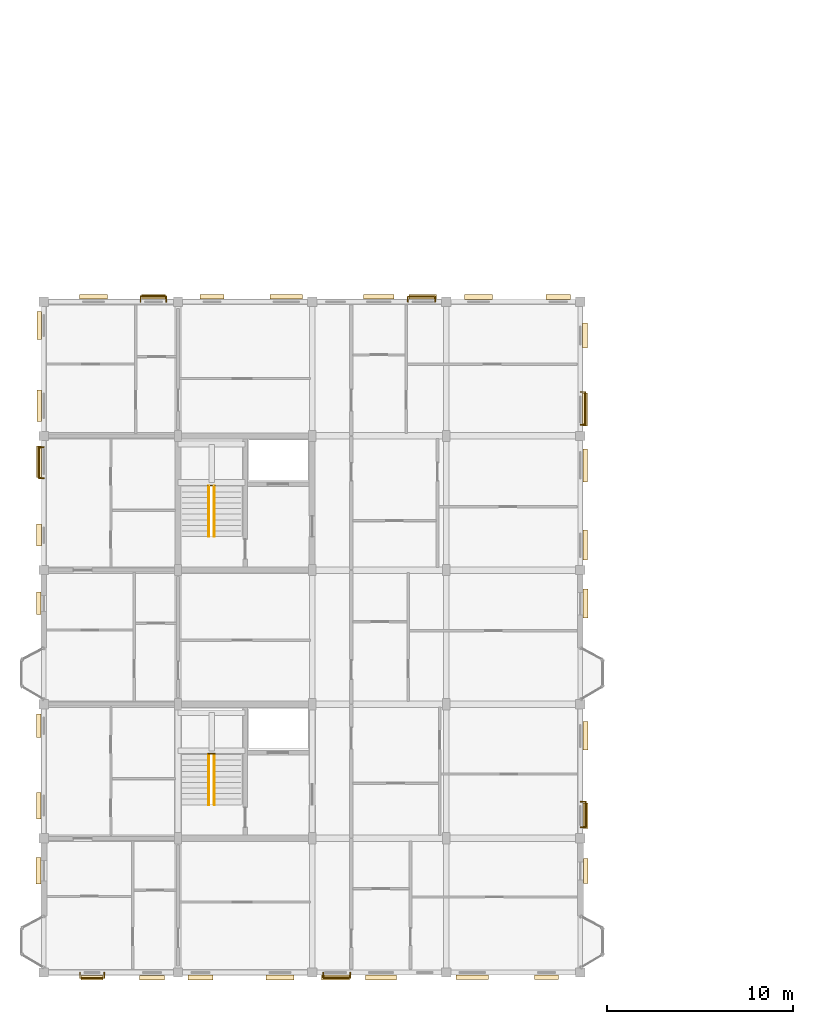
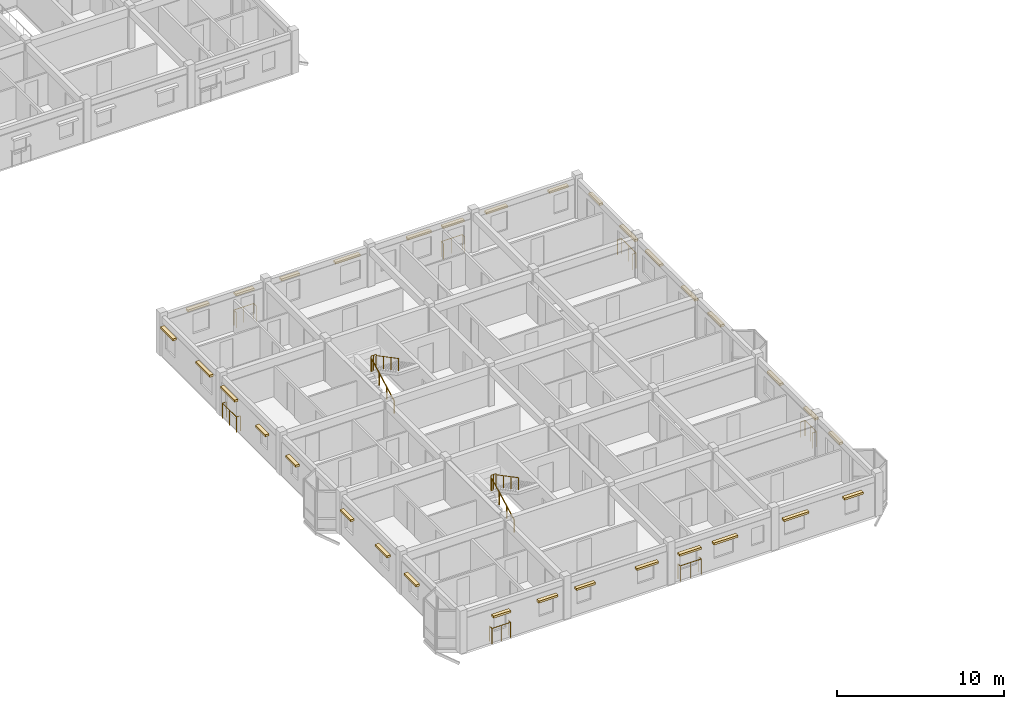
# One storey, part 59 of 64: 32 coverings, 13 railings.
"""IFC4 building model written with IfcOpenShell, lengths in metres."""

from ifc_helpers import new_model, si_unit, direction, frame, origin, origin_2d, place, context, subcontext, project, spatial, rectangle, circle, extrude, material, layer, layer_set, type_object, element, save


model = new_model("IFC4")

# Units and contexts
model_context = context("Model", 3, precision=1e-05, world=origin(), true_north=direction((0.0, 1.0)))
body_context = subcontext(model_context, "Body", "Model", "MODEL_VIEW")
ifc_project = project(units=[si_unit("LENGTHUNIT", "METRE"), si_unit("AREAUNIT", "SQUARE_METRE"), si_unit("VOLUMEUNIT", "CUBIC_METRE"), si_unit("PLANEANGLEUNIT", "RADIAN"), si_unit("MASSUNIT", "GRAM", prefix="KILO"), si_unit("THERMODYNAMICTEMPERATUREUNIT", "KELVIN"), si_unit("POWERUNIT", "WATT")], contexts=[model_context])

# Site, building, storey
site_placement = place(None, origin())
site = spatial("IfcSite", under=ifc_project, at=site_placement, CompositionType="ELEMENT")
building_placement = place(site_placement, origin())
building = spatial("IfcBuilding", under=site, at=building_placement, Name="Tavuni Mirador Residences", CompositionType="ELEMENT")
storey_placement = place(building_placement, frame((0.0, 0.0, 26.550048828125)))
storey = spatial("IfcBuildingStorey", under=building, at=storey_placement, Name="L08", CompositionType="ELEMENT", Elevation=26.550048828125)

# Coverings
ifc_material_1 = material(Name="Natural coral limestone", Category="masonry")
ifc_layer = layer(ifc_material_1, 0.054931640625, Name="Natural coral limestone", Category="masonry")
ifc_layer_set = layer_set([ifc_layer], Name="Natural coral limestone")
covering_type = type_object("IfcCoveringType", Name="CVT-CLAD-CORAL", PredefinedType="CLADDING", material=ifc_layer_set)
covering_1_placement = place(storey_placement, frame((6.18505859375, 6.92041015625, 1.955078125), z_axis=(0.0, 0.0, 1.0), x_axis=(1.0, 0.0, 0.0)))
element("IfcCovering", 1, at=covering_1_placement, inside=storey, type_object=covering_type, Name="HOOD-0175", PredefinedType="CLADDING", context=body_context, shape_type="SweptSolid", body=[
    extrude(rectangle(XDim=1.18994140625, YDim=0.25, at=origin_2d()), origin(), (0.0, 0.0, 1.0), 0.14990234375),
])
for number, where, z_axis, x_axis, name in (
    (2, (9.39501953125, 6.92041015625, 1.955078125), (0.0, 0.0, 1.0), (1.0, 0.0, 0.0), "HOOD-0176"),
    (3, (12.0, 6.925537109375, 1.955078125), (0.0, 0.0, 1.0), (1.0, 0.0, 0.0), "HOOD-0177"),
):
    element("IfcCovering", number, at=place(storey_placement, frame(where, z_axis=z_axis, x_axis=x_axis)), inside=storey, type_object=covering_type, Name=name, PredefinedType="CLADDING", context=body_context, shape_type="SweptSolid", body=[
        extrude(rectangle(XDim=1.340087890625, YDim=0.25, at=origin_2d()), origin(), (0.0, 0.0, 1.0), 0.14990234375),
    ])
for number, where, z_axis, x_axis, name in (
    (4, (16.280029296875, 6.925537109375, 1.955078125), (0.0, 0.0, 1.0), (1.0, 0.0, 0.0), "HOOD-0178"),
    (5, (19.2451171875, 6.93310546875, 1.955078125), (0.0, 0.0, 1.0), (1.0, 0.0, 0.0), "HOOD-0179"),
):
    element("IfcCovering", number, at=place(storey_placement, frame(where, z_axis=z_axis, x_axis=x_axis)), inside=storey, type_object=covering_type, Name=name, PredefinedType="CLADDING", context=body_context, shape_type="SweptSolid", body=[
        extrude(rectangle(XDim=1.5, YDim=0.25, at=origin_2d()), origin(), (0.0, 0.0, 1.0), 0.14990234375),
    ])
covering_2_placement = place(storey_placement, frame((21.68994140625, 6.93310546875, 1.955078125), z_axis=(0.0, 0.0, 1.0), x_axis=(1.0, 0.0, 0.0)))
element("IfcCovering", 6, at=covering_2_placement, inside=storey, type_object=covering_type, Name="HOOD-0180", PredefinedType="CLADDING", context=body_context, shape_type="SweptSolid", body=[
    extrude(rectangle(XDim=1.659912109375, YDim=0.25, at=origin_2d()), origin(), (0.0, 0.0, 1.0), 0.14990234375),
])
covering_3_placement = place(storey_placement, frame((26.60009765625, 6.9404296875, 1.955078125), z_axis=(0.0, 0.0, 1.0), x_axis=(1.0, 0.0, 0.0)))
element("IfcCovering", 7, at=covering_3_placement, inside=storey, type_object=covering_type, Name="HOOD-0181", PredefinedType="CLADDING", context=body_context, shape_type="SweptSolid", body=[
    extrude(rectangle(XDim=1.739990234375, YDim=0.25, at=origin_2d()), origin(), (0.0, 0.0, 1.0), 0.14990234375),
])
covering_4_placement = place(storey_placement, frame((30.580078125, 6.9404296875, 2.06494140625), z_axis=(0.0, 0.0, 1.0), x_axis=(1.0, 0.0, 0.0)))
element("IfcCovering", 8, at=covering_4_placement, inside=storey, type_object=covering_type, Name="HOOD-0182", PredefinedType="CLADDING", context=body_context, shape_type="SweptSolid", body=[
    extrude(rectangle(XDim=1.300048828125, YDim=0.25, at=origin_2d()), origin(), (0.0, 0.0, 1.0), 0.14990234375),
])
covering_5_placement = place(storey_placement, frame((32.6845703125, 12.64501953125, 2.06005859375), z_axis=(0.0, 0.0, 1.0), x_axis=(0.0, 1.0, 0.0)))
element("IfcCovering", 9, at=covering_5_placement, inside=storey, type_object=covering_type, Name="HOOD-0183", PredefinedType="CLADDING", context=body_context, shape_type="SweptSolid", body=[
    extrude(rectangle(XDim=1.320068359375, YDim=0.260009765625, at=origin_2d()), origin(), (0.0, 0.0, 1.0), 0.159912109375),
])
covering_6_placement = place(storey_placement, frame((32.674560546875, 15.6201171875, 2.06494140625), z_axis=(0.0, 0.0, 1.0), x_axis=(0.0, 1.0, 0.0)))
element("IfcCovering", 10, at=covering_6_placement, inside=storey, type_object=covering_type, Name="HOOD-0184", PredefinedType="CLADDING", context=body_context, shape_type="SweptSolid", body=[
    extrude(rectangle(XDim=1.3798828125, YDim=0.25, at=origin_2d()), origin(), (0.0, 0.0, 1.0), 0.14990234375),
])
covering_7_placement = place(storey_placement, frame((32.674560546875, 19.89990234375, 2.06494140625), z_axis=(0.0, 0.0, 1.0), x_axis=(0.0, 1.0, 0.0)))
element("IfcCovering", 11, at=covering_7_placement, inside=storey, type_object=covering_type, Name="HOOD-0185", PredefinedType="CLADDING", context=body_context, shape_type="SweptSolid", body=[
    extrude(rectangle(XDim=1.5400390625, YDim=0.25, at=origin_2d()), origin(), (0.0, 0.0, 1.0), 0.14990234375),
])
covering_8_placement = place(storey_placement, frame((32.672119140625, 26.9951171875, 2.06005859375), z_axis=(0.0, 0.0, 1.0), x_axis=(0.0, 1.0, 0.0)))
element("IfcCovering", 12, at=covering_8_placement, inside=storey, type_object=covering_type, Name="HOOD-0186", PredefinedType="CLADDING", context=body_context, shape_type="SweptSolid", body=[
    extrude(rectangle(XDim=1.56005859375, YDim=0.260009765625, at=origin_2d()), origin(), (0.0, 0.0, 1.0), 0.159912109375),
])
covering_9_placement = place(storey_placement, frame((32.659423828125, 30.139892578125, 2.06494140625), z_axis=(0.0, 0.0, 1.0), x_axis=(0.0, 1.0, 0.0)))
element("IfcCovering", 13, at=covering_9_placement, inside=storey, type_object=covering_type, Name="HOOD-0187", PredefinedType="CLADDING", context=body_context, shape_type="SweptSolid", body=[
    extrude(rectangle(XDim=1.6201171875, YDim=0.25, at=origin_2d()), origin(), (0.0, 0.0, 1.0), 0.14990234375),
])
for number, where, z_axis, x_axis, name in (
    (14, (32.659423828125, 34.419921875, 2.06494140625), (0.0, 0.0, 1.0), (0.0, 1.0, 0.0), "HOOD-0188"),
    (15, (32.6494140625, 37.419921875, 2.06494140625), (0.0, 0.0, 1.0), (0.0, 1.0, 0.0), "HOOD-0189"),
):
    element("IfcCovering", number, at=place(storey_placement, frame(where, z_axis=z_axis, x_axis=x_axis)), inside=storey, type_object=covering_type, Name=name, PredefinedType="CLADDING", context=body_context, shape_type="SweptSolid", body=[
        extrude(rectangle(XDim=1.780029296875, YDim=0.25, at=origin_2d()), origin(), (0.0, 0.0, 1.0), 0.14990234375),
    ])
for number, where, z_axis, x_axis, name in (
    (16, (32.6494140625, 41.389892578125, 2.1650390625), (0.0, 0.0, 1.0), (0.0, 1.0, 0.0), "HOOD-0190"),
    (17, (31.2099609375, 43.45947265625, 2.1650390625), (0.0, 0.0, 1.0), (-1.0, 0.0, 0.0), "HOOD-0191"),
):
    element("IfcCovering", number, at=place(storey_placement, frame(where, z_axis=z_axis, x_axis=x_axis)), inside=storey, type_object=covering_type, Name=name, PredefinedType="CLADDING", context=body_context, shape_type="SweptSolid", body=[
        extrude(rectangle(XDim=1.320068359375, YDim=0.25, at=origin_2d()), origin(), (0.0, 0.0, 1.0), 0.14990234375),
    ])
for number, where, z_axis, x_axis, name in (
    (18, (26.929931640625, 43.45947265625, 2.1650390625), (0.0, 0.0, 1.0), (-1.0, 0.0, 0.0), "HOOD-0192"),
    (19, (23.929931640625, 43.467041015625, 2.1650390625), (0.0, 0.0, 1.0), (-1.0, 0.0, 0.0), "HOOD-0193"),
):
    element("IfcCovering", number, at=place(storey_placement, frame(where, z_axis=z_axis, x_axis=x_axis)), inside=storey, type_object=covering_type, Name=name, PredefinedType="CLADDING", context=body_context, shape_type="SweptSolid", body=[
        extrude(rectangle(XDim=1.47998046875, YDim=0.25, at=origin_2d()), origin(), (0.0, 0.0, 1.0), 0.14990234375),
    ])
covering_10_placement = place(storey_placement, frame((21.574951171875, 43.467041015625, 2.1650390625), z_axis=(0.0, 0.0, 1.0), x_axis=(-1.0, 0.0, 0.0)))
element("IfcCovering", 20, at=covering_10_placement, inside=storey, type_object=covering_type, Name="HOOD-0194", PredefinedType="CLADDING", context=body_context, shape_type="SweptSolid", body=[
    extrude(rectangle(XDim=1.639892578125, YDim=0.25, at=origin_2d()), origin(), (0.0, 0.0, 1.0), 0.14990234375),
])
covering_11_placement = place(storey_placement, frame((16.610107421875, 43.474609375, 2.1650390625), z_axis=(0.0, 0.0, 1.0), x_axis=(-1.0, 0.0, 0.0)))
element("IfcCovering", 21, at=covering_11_placement, inside=storey, type_object=covering_type, Name="HOOD-0195", PredefinedType="CLADDING", context=body_context, shape_type="SweptSolid", body=[
    extrude(rectangle(XDim=1.719970703125, YDim=0.25, at=origin_2d()), origin(), (0.0, 0.0, 1.0), 0.14990234375),
])
for number, where, z_axis, x_axis, name in (
    (22, (12.6298828125, 43.474609375, 2.2451171875), (0.0, 0.0, 1.0), (-1.0, 0.0, 0.0), "HOOD-0196"),
    (23, (9.47509765625, 43.4794921875, 2.2451171875), (0.0, 0.0, 1.0), (-1.0, 0.0, 0.0), "HOOD-0197"),
):
    element("IfcCovering", number, at=place(storey_placement, frame(where, z_axis=z_axis, x_axis=x_axis)), inside=storey, type_object=covering_type, Name=name, PredefinedType="CLADDING", context=body_context, shape_type="SweptSolid", body=[
        extrude(rectangle(XDim=1.280029296875, YDim=0.25, at=origin_2d()), origin(), (0.0, 0.0, 1.0), 0.14990234375),
    ])
for number, where, z_axis, x_axis, name in (
    (24, (6.264892578125, 43.4794921875, 2.2451171875), (0.0, 0.0, 1.0), (-1.0, 0.0, 0.0), "HOOD-0198"),
    (25, (3.3505859375, 41.925048828125, 2.2451171875), (0.0, 0.0, 1.0), (0.0, -1.0, 0.0), "HOOD-0199"),
):
    element("IfcCovering", number, at=place(storey_placement, frame(where, z_axis=z_axis, x_axis=x_axis)), inside=storey, type_object=covering_type, Name=name, PredefinedType="CLADDING", context=body_context, shape_type="SweptSolid", body=[
        extrude(rectangle(XDim=1.489990234375, YDim=0.25, at=origin_2d()), origin(), (0.0, 0.0, 1.0), 0.14990234375),
    ])
for number, where, z_axis, x_axis, name in (
    (26, (3.3505859375, 37.625, 2.2451171875), (0.0, 0.0, 1.0), (0.0, -1.0, 0.0), "HOOD-0200"),
    (27, (3.340576171875, 34.625, 2.2451171875), (0.0, 0.0, 1.0), (0.0, -1.0, 0.0), "HOOD-0201"),
):
    element("IfcCovering", number, at=place(storey_placement, frame(where, z_axis=z_axis, x_axis=x_axis)), inside=storey, type_object=covering_type, Name=name, PredefinedType="CLADDING", context=body_context, shape_type="SweptSolid", body=[
        extrude(rectangle(XDim=1.68994140625, YDim=0.25, at=origin_2d()), origin(), (0.0, 0.0, 1.0), 0.14990234375),
    ])
covering_12_placement = place(storey_placement, frame((3.340576171875, 30.675048828125, 1.955078125), z_axis=(0.0, 0.0, 1.0), x_axis=(0.0, -1.0, 0.0)))
element("IfcCovering", 28, at=covering_12_placement, inside=storey, type_object=covering_type, Name="HOOD-0202", PredefinedType="CLADDING", context=body_context, shape_type="SweptSolid", body=[
    extrude(rectangle(XDim=1.18994140625, YDim=0.25, at=origin_2d()), origin(), (0.0, 0.0, 1.0), 0.14990234375),
])
covering_13_placement = place(storey_placement, frame((3.327880859375, 27.010009765625, 1.9501953125), z_axis=(0.0, 0.0, 1.0), x_axis=(0.0, -1.0, 0.0)))
element("IfcCovering", 29, at=covering_13_placement, inside=storey, type_object=covering_type, Name="HOOD-0203", PredefinedType="CLADDING", context=body_context, shape_type="SweptSolid", body=[
    extrude(rectangle(XDim=1.2099609375, YDim=0.260009765625, at=origin_2d()), origin(), (0.0, 0.0, 1.0), 0.159912109375),
])
covering_14_placement = place(storey_placement, frame((3.325439453125, 20.43994140625, 1.955078125), z_axis=(0.0, 0.0, 1.0), x_axis=(0.0, -1.0, 0.0)))
element("IfcCovering", 30, at=covering_14_placement, inside=storey, type_object=covering_type, Name="HOOD-0204", PredefinedType="CLADDING", context=body_context, shape_type="SweptSolid", body=[
    extrude(rectangle(XDim=1.260009765625, YDim=0.25, at=origin_2d()), origin(), (0.0, 0.0, 1.0), 0.14990234375),
])
covering_15_placement = place(storey_placement, frame((3.325439453125, 16.159912109375, 1.955078125), z_axis=(0.0, 0.0, 1.0), x_axis=(0.0, -1.0, 0.0)))
element("IfcCovering", 31, at=covering_15_placement, inside=storey, type_object=covering_type, Name="HOOD-0205", PredefinedType="CLADDING", context=body_context, shape_type="SweptSolid", body=[
    extrude(rectangle(XDim=1.419921875, YDim=0.25, at=origin_2d()), origin(), (0.0, 0.0, 1.0), 0.14990234375),
])
covering_16_placement = place(storey_placement, frame((3.3154296875, 12.659912109375, 1.9501953125), z_axis=(0.0, 0.0, 1.0), x_axis=(0.0, -1.0, 0.0)))
element("IfcCovering", 32, at=covering_16_placement, inside=storey, type_object=covering_type, Name="HOOD-0206", PredefinedType="CLADDING", context=body_context, shape_type="SweptSolid", body=[
    extrude(rectangle(XDim=1.43994140625, YDim=0.260009765625, at=origin_2d()), origin(), (0.0, 0.0, 1.0), 0.159912109375),
])

# Railings
ifc_material_2 = material(Name="Structural steel S355", Category="steel")
railing_type_1 = type_object("IfcRailingType", Name="RT-BL1150", PredefinedType="BALUSTRADE", material=ifc_material_2)
railing_1_placement = place(storey_placement, frame((5.5400390625, 7.199951171875, 0.0400390625)))
element("IfcRailing", 33, at=railing_1_placement, inside=storey, type_object=railing_type_1, Name="BALC-BLK-A-L08-S00", PredefinedType="BALUSTRADE", context=body_context, shape_type="SweptSolid", body=[
    extrude(circle(Radius=0.02392578125, at=origin_2d()), frame((0.0, 0.0, 1.1259765625), z_axis=(0.0, -1.0, 0.0), x_axis=(1.0, 0.0, 0.0)), (0.0, 0.0, 1.0), 0.29736328125),
    extrude(circle(Radius=0.02392578125, at=origin_2d()), frame((0.0, -0.29736328125, 1.1259765625), z_axis=(1.0, 0.0, 0.0), x_axis=(0.0, 1.0, 0.0)), (0.0, 0.0, 1.0), 1.2900390625),
    extrude(circle(Radius=0.02392578125, at=origin_2d()), frame((1.2900390625, -0.29736328125, 1.1259765625), z_axis=(0.0, 1.0, 0.0), x_axis=(-1.0, 0.0, 0.0)), (0.0, 0.0, 1.0), 0.29736328125),
    extrude(circle(Radius=0.02099609375, at=origin_2d()), origin(), (0.0, 0.0, 1.0), 1.101806640625),
    extrude(circle(Radius=0.02099609375, at=origin_2d()), frame((0.0, -0.29736328125, 0.0)), (0.0, 0.0, 1.0), 1.101806640625),
    extrude(circle(Radius=0.02099609375, at=origin_2d()), frame((0.64501953125, -0.29736328125, 0.0)), (0.0, 0.0, 1.0), 1.101806640625),
    extrude(circle(Radius=0.02099609375, at=origin_2d()), frame((1.2900390625, -0.29736328125, 0.0)), (0.0, 0.0, 1.0), 1.101806640625),
    extrude(circle(Radius=0.02099609375, at=origin_2d()), frame((1.2900390625, 0.0, 0.0)), (0.0, 0.0, 1.0), 1.101806640625),
])
railing_2_placement = place(storey_placement, frame((18.60009765625, 7.199951171875, 0.0400390625)))
element("IfcRailing", 34, at=railing_2_placement, inside=storey, type_object=railing_type_1, Name="BALC-BLK-A-L08-S02", PredefinedType="BALUSTRADE", context=body_context, shape_type="SweptSolid", body=[
    extrude(circle(Radius=0.02392578125, at=origin_2d()), frame((0.0, 0.0, 1.1259765625), z_axis=(0.0, -1.0, 0.0), x_axis=(1.0, 0.0, 0.0)), (0.0, 0.0, 1.0), 0.284912109375),
    extrude(circle(Radius=0.02392578125, at=origin_2d()), frame((0.0, -0.284912109375, 1.1259765625), z_axis=(1.0, 0.0, 0.0), x_axis=(0.0, 1.0, 0.0)), (0.0, 0.0, 1.0), 1.44482421875),
    extrude(circle(Radius=0.02392578125, at=origin_2d()), frame((1.44482421875, -0.284912109375, 1.1259765625), z_axis=(0.0, 1.0, 0.0), x_axis=(-1.0, 0.0, 0.0)), (0.0, 0.0, 1.0), 0.284912109375),
    extrude(circle(Radius=0.02099609375, at=origin_2d()), origin(), (0.0, 0.0, 1.0), 1.101806640625),
    extrude(circle(Radius=0.02099609375, at=origin_2d()), frame((0.0, -0.284912109375, 0.0)), (0.0, 0.0, 1.0), 1.101806640625),
    extrude(circle(Radius=0.02099609375, at=origin_2d()), frame((0.722412109375, -0.284912109375, 0.0)), (0.0, 0.0, 1.0), 1.101806640625),
    extrude(circle(Radius=0.02099609375, at=origin_2d()), frame((1.44482421875, -0.284912109375, 0.0)), (0.0, 0.0, 1.0), 1.101806640625),
    extrude(circle(Radius=0.02099609375, at=origin_2d()), frame((1.44482421875, 0.0, 0.0)), (0.0, 0.0, 1.0), 1.101806640625),
])
railing_3_placement = place(storey_placement, frame((32.39990234375, 15.0, 0.0400390625)))
element("IfcRailing", 35, at=railing_3_placement, inside=storey, type_object=railing_type_1, Name="BALC-BLK-A-L08-E01", PredefinedType="BALUSTRADE", context=body_context, shape_type="SweptSolid", body=[
    extrude(circle(Radius=0.02392578125, at=origin_2d()), frame((0.0, 0.0, 1.1259765625), z_axis=(1.0, 0.0, 0.0), x_axis=(0.0, 1.0, 0.0)), (0.0, 0.0, 1.0), 0.29248046875),
    extrude(circle(Radius=0.02392578125, at=origin_2d()), frame((0.29248046875, 0.0, 1.1259765625), z_axis=(0.0, 1.0, 0.0), x_axis=(-1.0, 0.0, 0.0)), (0.0, 0.0, 1.0), 1.360107421875),
    extrude(circle(Radius=0.02392578125, at=origin_2d()), frame((0.29248046875, 1.360107421875, 1.1259765625), z_axis=(-1.0, 0.0, 0.0), x_axis=(0.0, -1.0, 0.0)), (0.0, 0.0, 1.0), 0.29248046875),
    extrude(circle(Radius=0.02099609375, at=origin_2d()), origin(), (0.0, 0.0, 1.0), 1.101806640625),
    extrude(circle(Radius=0.02099609375, at=origin_2d()), frame((0.29248046875, 0.0, 0.0)), (0.0, 0.0, 1.0), 1.101806640625),
    extrude(circle(Radius=0.02099609375, at=origin_2d()), frame((0.29248046875, 0.68017578125, 0.0)), (0.0, 0.0, 1.0), 1.101806640625),
    extrude(circle(Radius=0.02099609375, at=origin_2d()), frame((0.29248046875, 1.360107421875, 0.0)), (0.0, 0.0, 1.0), 1.101806640625),
    extrude(circle(Radius=0.02099609375, at=origin_2d()), frame((0.0, 1.360107421875, 0.0)), (0.0, 0.0, 1.0), 1.101806640625),
])
railing_4_placement = place(storey_placement, frame((32.39990234375, 36.60009765625, 0.0400390625)))
element("IfcRailing", 36, at=railing_4_placement, inside=storey, type_object=railing_type_1, Name="BALC-BLK-A-L08-E04", PredefinedType="BALUSTRADE", context=body_context, shape_type="SweptSolid", body=[
    extrude(circle(Radius=0.02392578125, at=origin_2d()), frame((0.0, 0.0, 1.1259765625), z_axis=(1.0, 0.0, 0.0), x_axis=(0.0, 1.0, 0.0)), (0.0, 0.0, 1.0), 0.267578125),
    extrude(circle(Radius=0.02392578125, at=origin_2d()), frame((0.267578125, 0.0, 1.1259765625), z_axis=(0.0, 1.0, 0.0), x_axis=(-1.0, 0.0, 0.0)), (0.0, 0.0, 1.0), 1.760009765625),
    extrude(circle(Radius=0.02392578125, at=origin_2d()), frame((0.267578125, 1.760009765625, 1.1259765625), z_axis=(-1.0, 0.0, 0.0), x_axis=(0.0, -1.0, 0.0)), (0.0, 0.0, 1.0), 0.267578125),
    extrude(circle(Radius=0.02099609375, at=origin_2d()), origin(), (0.0, 0.0, 1.0), 1.101806640625),
    extrude(circle(Radius=0.02099609375, at=origin_2d()), frame((0.267578125, 0.0, 0.0)), (0.0, 0.0, 1.0), 1.101806640625),
    extrude(circle(Radius=0.02099609375, at=origin_2d()), frame((0.267578125, 0.8798828125, 0.0)), (0.0, 0.0, 1.0), 1.101806640625),
    extrude(circle(Radius=0.02099609375, at=origin_2d()), frame((0.267578125, 1.760009765625, 0.0)), (0.0, 0.0, 1.0), 1.101806640625),
    extrude(circle(Radius=0.02099609375, at=origin_2d()), frame((0.0, 1.760009765625, 0.0)), (0.0, 0.0, 1.0), 1.101806640625),
])
railing_5_placement = place(storey_placement, frame((24.60009765625, 43.199951171875, 0.0400390625)))
element("IfcRailing", 37, at=railing_5_placement, inside=storey, type_object=railing_type_1, Name="BALC-BLK-A-L08-N02", PredefinedType="BALUSTRADE", context=body_context, shape_type="SweptSolid", body=[
    extrude(circle(Radius=0.02392578125, at=origin_2d()), frame((0.0, 0.0, 1.1259765625), z_axis=(0.0, 1.0, 0.0), x_axis=(-1.0, 0.0, 0.0)), (0.0, 0.0, 1.0), 0.28515625),
    extrude(circle(Radius=0.02392578125, at=origin_2d()), frame((0.0, 0.28515625, 1.1259765625), z_axis=(-1.0, 0.0, 0.0), x_axis=(0.0, -1.0, 0.0)), (0.0, 0.0, 1.0), 1.460205078125),
    extrude(circle(Radius=0.02392578125, at=origin_2d()), frame((-1.460205078125, 0.28515625, 1.1259765625), z_axis=(0.0, -1.0, 0.0), x_axis=(1.0, 0.0, 0.0)), (0.0, 0.0, 1.0), 0.28515625),
    extrude(circle(Radius=0.02099609375, at=origin_2d()), origin(), (0.0, 0.0, 1.0), 1.101806640625),
    extrude(circle(Radius=0.02099609375, at=origin_2d()), frame((0.0, 0.28515625, 0.0)), (0.0, 0.0, 1.0), 1.101806640625),
    extrude(circle(Radius=0.02099609375, at=origin_2d()), frame((-0.72998046875, 0.28515625, 0.0)), (0.0, 0.0, 1.0), 1.101806640625),
    extrude(circle(Radius=0.02099609375, at=origin_2d()), frame((-1.460205078125, 0.28515625, 0.0)), (0.0, 0.0, 1.0), 1.101806640625),
    extrude(circle(Radius=0.02099609375, at=origin_2d()), frame((-1.460205078125, 0.0, 0.0)), (0.0, 0.0, 1.0), 1.101806640625),
])
railing_6_placement = place(storey_placement, frame((10.1650390625, 43.199951171875, 0.0400390625)))
element("IfcRailing", 38, at=railing_6_placement, inside=storey, type_object=railing_type_1, Name="BALC-BLK-A-L08-N00", PredefinedType="BALUSTRADE", context=body_context, shape_type="SweptSolid", body=[
    extrude(circle(Radius=0.02392578125, at=origin_2d()), frame((0.0, 0.0, 1.1259765625), z_axis=(0.0, 1.0, 0.0), x_axis=(-1.0, 0.0, 0.0)), (0.0, 0.0, 1.0), 0.297607421875),
    extrude(circle(Radius=0.02392578125, at=origin_2d()), frame((0.0, 0.297607421875, 1.1259765625), z_axis=(-1.0, 0.0, 0.0), x_axis=(0.0, -1.0, 0.0)), (0.0, 0.0, 1.0), 1.380126953125),
    extrude(circle(Radius=0.02392578125, at=origin_2d()), frame((-1.380126953125, 0.297607421875, 1.1259765625), z_axis=(0.0, -1.0, 0.0), x_axis=(1.0, 0.0, 0.0)), (0.0, 0.0, 1.0), 0.297607421875),
    extrude(circle(Radius=0.02099609375, at=origin_2d()), origin(), (0.0, 0.0, 1.0), 1.101806640625),
    extrude(circle(Radius=0.02099609375, at=origin_2d()), frame((0.0, 0.297607421875, 0.0)), (0.0, 0.0, 1.0), 1.101806640625),
    extrude(circle(Radius=0.02099609375, at=origin_2d()), frame((-0.68994140625, 0.297607421875, 0.0)), (0.0, 0.0, 1.0), 1.101806640625),
    extrude(circle(Radius=0.02099609375, at=origin_2d()), frame((-1.380126953125, 0.297607421875, 0.0)), (0.0, 0.0, 1.0), 1.101806640625),
    extrude(circle(Radius=0.02099609375, at=origin_2d()), frame((-1.380126953125, 0.0, 0.0)), (0.0, 0.0, 1.0), 1.101806640625),
])
railing_7_placement = place(storey_placement, frame((3.60009765625, 35.39990234375, 0.0400390625)))
element("IfcRailing", 39, at=railing_7_placement, inside=storey, type_object=railing_type_1, Name="BALC-BLK-A-L08-W03", PredefinedType="BALUSTRADE", context=body_context, shape_type="SweptSolid", body=[
    extrude(circle(Radius=0.02392578125, at=origin_2d()), frame((0.0, 0.0, 1.1259765625), z_axis=(-1.0, 0.0, 0.0), x_axis=(0.0, -1.0, 0.0)), (0.0, 0.0, 1.0), 0.277587890625),
    extrude(circle(Radius=0.02392578125, at=origin_2d()), frame((-0.277587890625, 0.0, 1.1259765625), z_axis=(0.0, -1.0, 0.0), x_axis=(1.0, 0.0, 0.0)), (0.0, 0.0, 1.0), 1.669921875),
    extrude(circle(Radius=0.02392578125, at=origin_2d()), frame((-0.277587890625, -1.669921875, 1.1259765625), z_axis=(1.0, 0.0, 0.0), x_axis=(0.0, 1.0, 0.0)), (0.0, 0.0, 1.0), 0.277587890625),
    extrude(circle(Radius=0.02099609375, at=origin_2d()), origin(), (0.0, 0.0, 1.0), 1.101806640625),
    extrude(circle(Radius=0.02099609375, at=origin_2d()), frame((-0.277587890625, 0.0, 0.0)), (0.0, 0.0, 1.0), 1.101806640625),
    extrude(circle(Radius=0.02099609375, at=origin_2d()), frame((-0.277587890625, -0.8349609375, 0.0)), (0.0, 0.0, 1.0), 1.101806640625),
    extrude(circle(Radius=0.02099609375, at=origin_2d()), frame((-0.277587890625, -1.669921875, 0.0)), (0.0, 0.0, 1.0), 1.101806640625),
    extrude(circle(Radius=0.02099609375, at=origin_2d()), frame((0.0, -1.669921875, 0.0)), (0.0, 0.0, 1.0), 1.101806640625),
])
railing_type_2 = type_object("IfcRailingType", Name="RT-GR1120", PredefinedType="GUARDRAIL", material=ifc_material_2)
for number, where, name in (
    (40, (12.419921875, 18.93994140625, 1.574951171875), "GRD-HL-ST1-L08"),
    (41, (12.419921875, 33.340087890625, 1.574951171875), "GRD-HL-ST2-L08"),
):
    element("IfcRailing", number, at=place(storey_placement, frame(where)), inside=storey, type_object=railing_type_2, Name=name, PredefinedType="GUARDRAIL", context=body_context, shape_type="SweptSolid", body=[
        extrude(circle(Radius=0.02392578125, at=origin_2d()), frame((0.0, 0.0, 1.09619140625), z_axis=(1.0, 0.0, 0.0), x_axis=(0.0, 1.0, 0.0)), (0.0, 0.0, 1.0), 0.360107421875),
        extrude(circle(Radius=0.02099609375, at=origin_2d()), origin(), (0.0, 0.0, 1.0), 1.072021484375),
        extrude(circle(Radius=0.02099609375, at=origin_2d()), frame((0.18017578125, 0.0, 0.0)), (0.0, 0.0, 1.0), 1.072021484375),
        extrude(circle(Radius=0.02099609375, at=origin_2d()), frame((0.360107421875, 0.0, 0.0)), (0.0, 0.0, 1.0), 1.072021484375),
    ])
railing_type_3 = type_object("IfcRailingType", Name="RT-HR920", PredefinedType="HANDRAIL", material=ifc_material_2)
railing_8_placement = place(storey_placement, frame((12.449951171875, 16.199951171875, 0.157470703125)))
element("IfcRailing", 42, at=railing_8_placement, inside=storey, type_object=railing_type_3, Name="HR-ST1-L08-F1", PredefinedType="HANDRAIL", context=body_context, shape_type="SweptSolid", body=[
    extrude(circle(Radius=0.02392578125, at=origin_2d()), frame((0.0, 0.0, 0.89599609375), z_axis=(0.0, 0.885397079081, 0.464835468048), x_axis=(-1.0, 0.0, 0.0)), (0.0, 0.0, 1.0), 3.04931640625),
    extrude(circle(Radius=0.02099609375, at=origin_2d()), origin(), (0.0, 0.0, 1.0), 0.871826171875),
    extrude(circle(Radius=0.02099609375, at=origin_2d()), frame((0.0, 0.89990234375, 0.472412109375)), (0.0, 0.0, 1.0), 0.871826171875),
    extrude(circle(Radius=0.02099609375, at=origin_2d()), frame((0.0, 1.800048828125, 0.945068359375)), (0.0, 0.0, 1.0), 0.871826171875),
    extrude(circle(Radius=0.02099609375, at=origin_2d()), frame((0.0, 2.699951171875, 1.41748046875)), (0.0, 0.0, 1.0), 0.871826171875),
])
railing_9_placement = place(storey_placement, frame((12.75, 18.89990234375, 1.732421875)))
element("IfcRailing", 43, at=railing_9_placement, inside=storey, type_object=railing_type_3, Name="HR-ST1-L08-F2", PredefinedType="HANDRAIL", context=body_context, shape_type="SweptSolid", body=[
    extrude(circle(Radius=0.02392578125, at=origin_2d()), frame((0.0, 0.0, 0.89599609375), z_axis=(0.0, -0.885397079081, 0.464835468048), x_axis=(1.0, 0.0, 0.0)), (0.0, 0.0, 1.0), 3.04931640625),
    extrude(circle(Radius=0.02099609375, at=origin_2d()), origin(), (0.0, 0.0, 1.0), 0.871826171875),
    extrude(circle(Radius=0.02099609375, at=origin_2d()), frame((0.0, -0.89990234375, 0.472412109375)), (0.0, 0.0, 1.0), 0.871826171875),
    extrude(circle(Radius=0.02099609375, at=origin_2d()), frame((0.0, -1.800048828125, 0.945068359375)), (0.0, 0.0, 1.0), 0.871826171875),
    extrude(circle(Radius=0.02099609375, at=origin_2d()), frame((0.0, -2.699951171875, 1.41748046875)), (0.0, 0.0, 1.0), 0.871826171875),
])
railing_10_placement = place(storey_placement, frame((12.449951171875, 30.60009765625, 0.157470703125)))
element("IfcRailing", 44, at=railing_10_placement, inside=storey, type_object=railing_type_3, Name="HR-ST2-L08-F1", PredefinedType="HANDRAIL", context=body_context, shape_type="SweptSolid", body=[
    extrude(circle(Radius=0.02392578125, at=origin_2d()), frame((0.0, 0.0, 0.89599609375), z_axis=(0.0, 0.885397079081, 0.464835468048), x_axis=(-1.0, 0.0, 0.0)), (0.0, 0.0, 1.0), 3.04931640625),
    extrude(circle(Radius=0.02099609375, at=origin_2d()), origin(), (0.0, 0.0, 1.0), 0.871826171875),
    extrude(circle(Radius=0.02099609375, at=origin_2d()), frame((0.0, 0.89990234375, 0.472412109375)), (0.0, 0.0, 1.0), 0.871826171875),
    extrude(circle(Radius=0.02099609375, at=origin_2d()), frame((0.0, 1.800048828125, 0.945068359375)), (0.0, 0.0, 1.0), 0.871826171875),
    extrude(circle(Radius=0.02099609375, at=origin_2d()), frame((0.0, 2.699951171875, 1.41748046875)), (0.0, 0.0, 1.0), 0.871826171875),
])
railing_11_placement = place(storey_placement, frame((12.75, 33.300048828125, 1.732421875)))
element("IfcRailing", 45, at=railing_11_placement, inside=storey, type_object=railing_type_3, Name="HR-ST2-L08-F2", PredefinedType="HANDRAIL", context=body_context, shape_type="SweptSolid", body=[
    extrude(circle(Radius=0.02392578125, at=origin_2d()), frame((0.0, 0.0, 0.89599609375), z_axis=(0.0, -0.885397079081, 0.464835468048), x_axis=(1.0, 0.0, 0.0)), (0.0, 0.0, 1.0), 3.04931640625),
    extrude(circle(Radius=0.02099609375, at=origin_2d()), origin(), (0.0, 0.0, 1.0), 0.871826171875),
    extrude(circle(Radius=0.02099609375, at=origin_2d()), frame((0.0, -0.89990234375, 0.472412109375)), (0.0, 0.0, 1.0), 0.871826171875),
    extrude(circle(Radius=0.02099609375, at=origin_2d()), frame((0.0, -1.800048828125, 0.945068359375)), (0.0, 0.0, 1.0), 0.871826171875),
    extrude(circle(Radius=0.02099609375, at=origin_2d()), frame((0.0, -2.699951171875, 1.41748046875)), (0.0, 0.0, 1.0), 0.871826171875),
])

save(model, "model.ifc")
